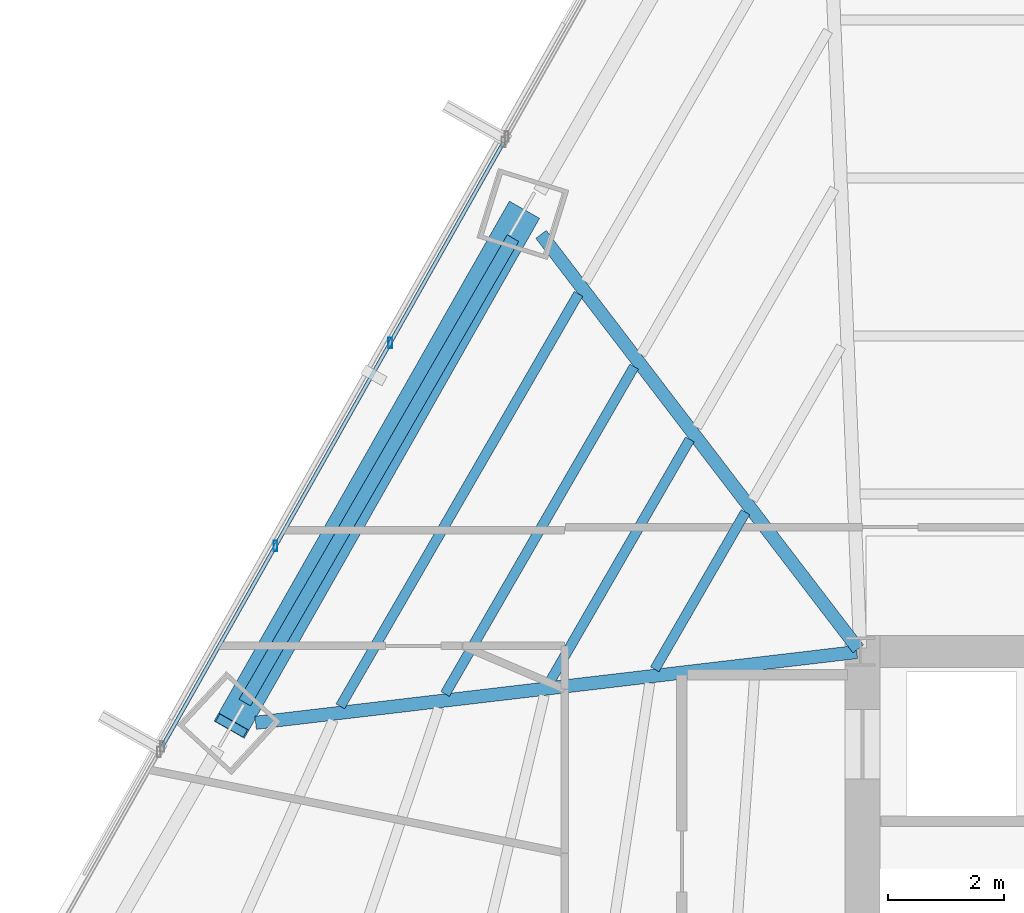
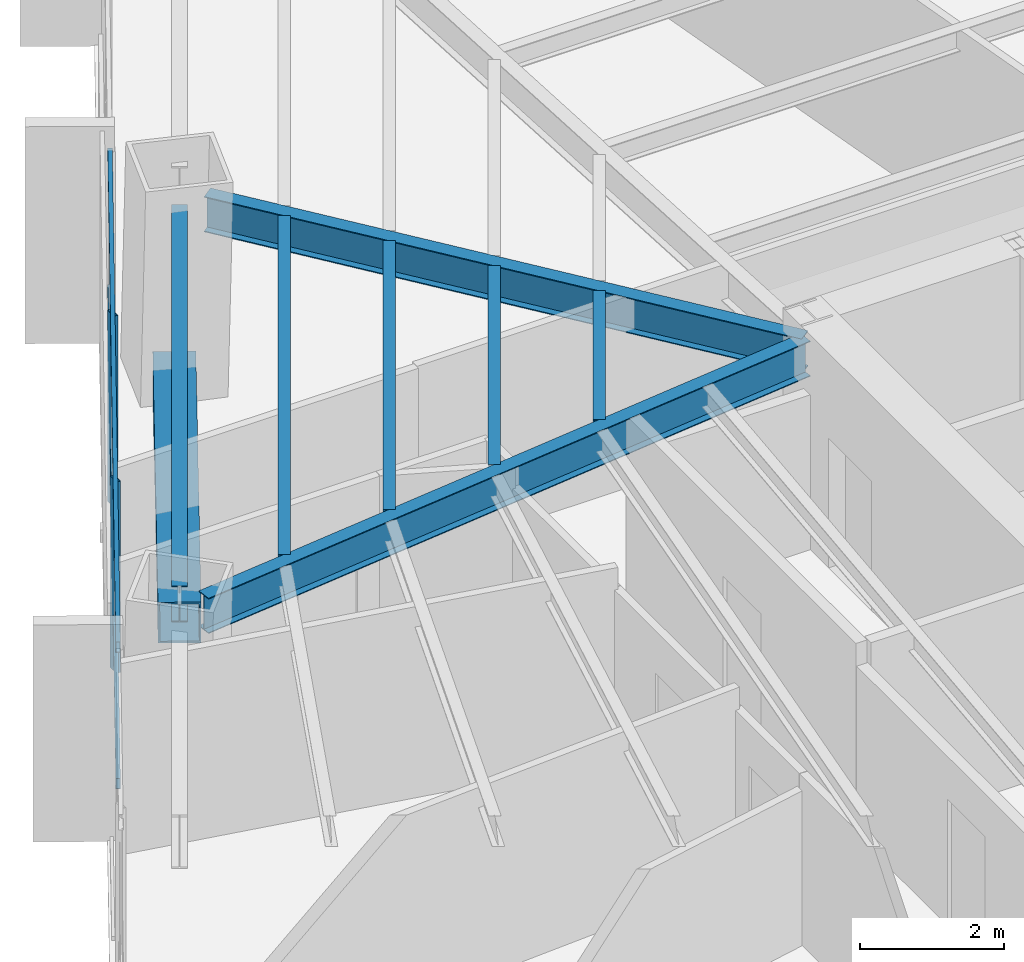
# One storey, part 13 of 39: 7 beams, 5 members, 1 element without a shape of its own.
"""IFC4 building model written with IfcOpenShell, lengths in metres."""

from ifc_helpers import new_model, si_unit, direction, frame, origin, origin_2d, place, context, subcontext, project, spatial, hollow_rectangle, i_section, extrude, source, transform, mapped, material, material_profile, profile_set, type_object, type_shapes, element, aggregate, save


model = new_model("IFC4")

# Units and contexts
model_context = context("Model", 3, precision=1e-05, world=origin(), true_north=direction((0.0, 1.0)))
body_context = subcontext(model_context, "Body", "Model", "MODEL_VIEW")
ifc_project = project(units=[si_unit("LENGTHUNIT", "METRE"), si_unit("AREAUNIT", "SQUARE_METRE"), si_unit("VOLUMEUNIT", "CUBIC_METRE"), si_unit("PLANEANGLEUNIT", "RADIAN"), si_unit("MASSUNIT", "GRAM", prefix="KILO")], contexts=[model_context])

# Site, building, storey
site_placement = place(None, origin())
site = spatial("IfcSite", under=ifc_project, at=site_placement, CompositionType="ELEMENT")
building_placement = place(site_placement, origin())
building = spatial("IfcBuilding", under=site, at=building_placement, Name="Caelisora Broadcast Tower", CompositionType="ELEMENT")
storey_placement = place(building_placement, frame((0.0, 0.0, 71.39990234375)))
storey = spatial("IfcBuildingStorey", under=building, at=storey_placement, Name="L18", CompositionType="ELEMENT", Elevation=71.39990234375)

# Beams
ifc_material_1 = material(Name="Steel Grade 350 (AS/NZS 3679.1)", Category="steel")
ifc_material_profile_1 = material_profile(ifc_material_1, i_section(OverallWidth=0.22900390625, OverallDepth=0.611572265625, WebThickness=0.011962890625, FlangeThickness=0.01953125, at=origin_2d()), Name="Steel Grade 350 (AS/NZS 3679.1)")
ifc_profile_set_1 = profile_set([ifc_material_profile_1], Name="Steel Grade 350 (AS/NZS 3679.1)")
beam_type_1 = type_object("IfcBeamType", Name="PG03", PredefinedType="BEAM", material=ifc_profile_set_1)
shared_shape_1 = source(origin(), body_context, "Body", "SweptSolid", [
    extrude(i_section(OverallWidth=0.22900390625, OverallDepth=0.611572265625, WebThickness=0.011962890625, FlangeThickness=0.01953125, at=origin_2d()), origin(), (0.0, 0.0, 1.0), 9.2607421875),
])
type_shapes(beam_type_1, [shared_shape_1])
beam_1_placement = place(storey_placement, frame((24.50146484375, 37.14013671875, 2.9443359375), z_axis=(-0.5000008632, -0.866024905415, 0.0), x_axis=(0.866024905415, -0.5000008632, 0.0)))
element("IfcBeam", 1, at=beam_1_placement, inside=storey, type_object=beam_type_1, Name="L18 beam PG03", PredefinedType="BEAM", context=body_context, shape_type="MappedRepresentation", body=[
    mapped(shared_shape_1, transform((0.0, 0.0, 0.0), scale=1.0)),
])
ifc_material_profile_2 = material_profile(ifc_material_1, i_section(OverallWidth=0.22802734375, OverallDepth=0.602294921875, WebThickness=0.010498046875, FlangeThickness=0.014892578125, at=origin_2d()), Name="Steel Grade 350 (AS/NZS 3679.1)")
ifc_profile_set_2 = profile_set([ifc_material_profile_2], Name="Steel Grade 350 (AS/NZS 3679.1)")
beam_type_2 = type_object("IfcBeamType", Name="PG04", PredefinedType="BEAM", material=ifc_profile_set_2)
shared_shape_2 = source(origin(), body_context, "Body", "SweptSolid", [
    extrude(i_section(OverallWidth=0.22802734375, OverallDepth=0.602294921875, WebThickness=0.010498046875, FlangeThickness=0.014892578125, at=origin_2d()), origin(), (0.0, 0.0, 1.0), 9.012451171875),
])
beam_2_placement = place(storey_placement, frame((30.46337890625, 30.047607421875, 2.948974609375), z_axis=(-0.607674312064, 0.794186332328, 0.0), x_axis=(-0.794186332328, -0.607674312064, 0.0)))
element("IfcBeam", 2, at=beam_2_placement, inside=storey, type_object=beam_type_2, Name="L18 beam PG04", PredefinedType="BEAM", context=body_context, shape_type="MappedRepresentation", body=[
    mapped(shared_shape_2, transform((0.0, 0.0, 0.0), scale=1.0)),
])
shared_shape_3 = source(origin(), body_context, "Body", "SweptSolid", [
    extrude(i_section(OverallWidth=0.22802734375, OverallDepth=0.602294921875, WebThickness=0.010498046875, FlangeThickness=0.014892578125, at=origin_2d()), origin(), (0.0, 0.0, 1.0), 10.4541015625),
])
type_shapes(beam_type_2, [shared_shape_2, shared_shape_3])
beam_3_placement = place(storey_placement, frame((30.4404296875, 29.992919921875, 2.948974609375), z_axis=(-0.99314263144, -0.116908997154, 0.0), x_axis=(0.116908997154, -0.99314263144, 0.0)))
element("IfcBeam", 3, at=beam_3_placement, inside=storey, type_object=beam_type_2, Name="L18 beam PG04", PredefinedType="BEAM", context=body_context, shape_type="MappedRepresentation", body=[
    mapped(shared_shape_3, transform((0.0, 0.0, 0.0), scale=1.0)),
])
ifc_material_profile_3 = material_profile(ifc_material_1, i_section(OverallWidth=0.172119140625, OverallDepth=0.358642578125, WebThickness=0.008056640625, FlangeThickness=0.012939453125, at=origin_2d()), Name="Steel Grade 350 (AS/NZS 3679.1)")
ifc_profile_set_3 = profile_set([ifc_material_profile_3], Name="Steel Grade 350 (AS/NZS 3679.1)")
beam_type_3 = type_object("IfcBeamType", Name="SB02", PredefinedType="JOIST", material=ifc_profile_set_3)
shared_shape_4 = source(origin(), body_context, "Body", "SweptSolid", [
    extrude(i_section(OverallWidth=0.172119140625, OverallDepth=0.358642578125, WebThickness=0.008056640625, FlangeThickness=0.012939453125, at=origin_2d()), origin(), (0.0, 0.0, 1.0), 3.134033203125),
])
beam_4_placement = place(storey_placement, frame((28.516845703125, 32.408447265625, 3.07080078125), z_axis=(-0.499976457224, -0.866038995786, 0.0), x_axis=(0.866038995786, -0.499976457224, 0.0)))
element("IfcBeam", 4, at=beam_4_placement, inside=storey, type_object=beam_type_3, Name="L18 beam SB02", PredefinedType="JOIST", context=body_context, shape_type="MappedRepresentation", body=[
    mapped(shared_shape_4, transform((0.0, 0.0, 0.0), scale=1.0)),
])
shared_shape_5 = source(origin(), body_context, "Body", "SweptSolid", [
    extrude(i_section(OverallWidth=0.172119140625, OverallDepth=0.358642578125, WebThickness=0.008056640625, FlangeThickness=0.012939453125, at=origin_2d()), origin(), (0.0, 0.0, 1.0), 4.83056640625),
])
beam_5_placement = place(storey_placement, frame((27.555419921875, 33.664794921875, 3.07080078125), z_axis=(-0.500003909511, -0.866023146616, 0.0), x_axis=(0.866023146616, -0.500003909511, 0.0)))
element("IfcBeam", 5, at=beam_5_placement, inside=storey, type_object=beam_type_3, Name="L18 beam SB02", PredefinedType="JOIST", context=body_context, shape_type="MappedRepresentation", body=[
    mapped(shared_shape_5, transform((0.0, 0.0, 0.0), scale=1.0)),
])
shared_shape_6 = source(origin(), body_context, "Body", "SweptSolid", [
    extrude(i_section(OverallWidth=0.172119140625, OverallDepth=0.358642578125, WebThickness=0.008056640625, FlangeThickness=0.012939453125, at=origin_2d()), origin(), (0.0, 0.0, 1.0), 6.527587890625),
])
beam_6_placement = place(storey_placement, frame((26.593994140625, 34.92138671875, 3.07080078125), z_axis=(-0.499984698463, -0.86603423795, 0.0), x_axis=(0.86603423795, -0.499984698463, 0.0)))
element("IfcBeam", 6, at=beam_6_placement, inside=storey, type_object=beam_type_3, Name="L18 beam SB02", PredefinedType="JOIST", context=body_context, shape_type="MappedRepresentation", body=[
    mapped(shared_shape_6, transform((0.0, 0.0, 0.0), scale=1.0)),
])
shared_shape_7 = source(origin(), body_context, "Body", "SweptSolid", [
    extrude(i_section(OverallWidth=0.172119140625, OverallDepth=0.358642578125, WebThickness=0.008056640625, FlangeThickness=0.012939453125, at=origin_2d()), origin(), (0.0, 0.0, 1.0), 8.224365234375),
])
type_shapes(beam_type_3, [shared_shape_4, shared_shape_5, shared_shape_6, shared_shape_7])
beam_7_placement = place(storey_placement, frame((25.6328125, 36.177734375, 3.07080078125), z_axis=(-0.500008532388, -0.866020477552, 0.0), x_axis=(0.866020477552, -0.500008532388, 0.0)))
element("IfcBeam", 7, at=beam_7_placement, inside=storey, type_object=beam_type_3, Name="L18 beam SB02", PredefinedType="JOIST", context=body_context, shape_type="MappedRepresentation", body=[
    mapped(shared_shape_7, transform((0.0, 0.0, 0.0), scale=1.0)),
])

# Member
ifc_material_2 = material(Name="Steel Grade 450 L15 (AS/NZS 3678)", Category="steel")
ifc_material_profile_4 = material_profile(ifc_material_2, hollow_rectangle(XDim=0.60009765625, YDim=0.60009765625, WallThickness=0.02490234375, at=origin_2d()), Name="Steel Grade 450 L15 (AS/NZS 3678)")
ifc_profile_set_4 = profile_set([ifc_material_profile_4], Name="Steel Grade 450 L15 (AS/NZS 3678)")
member_type_1 = type_object("IfcMemberType", Name="BR01", PredefinedType="BRACE", material=ifc_profile_set_4)
shared_shape_8 = source(origin(), body_context, "Body", "SweptSolid", [
    extrude(hollow_rectangle(XDim=0.60009765625, YDim=0.60009765625, WallThickness=0.02490234375, at=origin_2d()), origin(), (0.0, 0.0, 1.0), 10.556640625),
])
type_shapes(member_type_1, [shared_shape_8])
member_1_placement = place(storey_placement, frame((24.66064453125, 37.560546875, 0.10009765625), z_axis=(-0.475482114836, -0.837274050852, 0.269979484854), x_axis=(0.869564389975, -0.493819574022, 0.0)))
element("IfcMember", 8, at=member_1_placement, inside=storey, type_object=member_type_1, Name="L18 perimeter brace BR01", PredefinedType="BRACE", context=body_context, shape_type="MappedRepresentation", body=[
    mapped(shared_shape_8, transform((0.0, 0.0, 0.0), scale=1.0)),
])

# Curtain wall, members
ifc_material_3 = material(Name="Unitised Aluminium Insulated Shadow-Box Spandrel Curtain Wall", Category="aluminium")
curtain_wall_type = type_object("IfcCurtainWallType", Name="CW-SP1", PredefinedType="NOTDEFINED", material=ifc_material_3)
curtain_wall_placement = place(storey_placement, origin())
curtain_wall = element("IfcCurtainWall", 9, at=curtain_wall_placement, inside=storey, type_object=curtain_wall_type, Name="L18 curtain wall CW-SP1", PredefinedType="NOTDEFINED")
ifc_material_4 = material(Name="Aluminium 6063-T6 Anodised Terracotta Bronze", Category="aluminium")
ifc_material_profile_5 = material_profile(ifc_material_4, hollow_rectangle(XDim=0.06494140625, YDim=0.179931640625, WallThickness=0.00341796875, at=origin_2d()), Name="Aluminium 6063-T6 Anodised Terracotta Bronze")
ifc_profile_set_5 = profile_set([ifc_material_profile_5], Name="Aluminium 6063-T6 Anodised Terracotta Bronze")
member_type_2 = type_object("IfcMemberType", Name="CWM-02", PredefinedType="MULLION", material=ifc_profile_set_5)
shared_shape_9 = source(origin(), body_context, "Body", "SweptSolid", [
    extrude(hollow_rectangle(XDim=0.06494140625, YDim=0.179931640625, WallThickness=0.00341796875, at=origin_2d()), origin(), (0.0, 0.0, 1.0), 3.25),
])
type_shapes(member_type_2, [shared_shape_9])
member_2_placement = place(storey_placement, frame((20.40185546875, 31.8251953125, 0.0), z_axis=(0.0, 0.0, 1.0), x_axis=(1.0, 0.0, 0.0)))
member_2 = element("IfcMember", 10, at=member_2_placement, type_object=member_type_2, Name="L18-CW-B10 mullion #1", PredefinedType="MULLION", context=body_context, shape_type="MappedRepresentation", body=[
    mapped(shared_shape_9, transform((0.0, 0.0, 0.0), scale=1.0)),
])
member_3_placement = place(storey_placement, frame((22.3837890625, 35.333251953125, 0.0), z_axis=(0.0, 0.0, 1.0), x_axis=(1.0, 0.0, 0.0)))
member_3 = element("IfcMember", 11, at=member_3_placement, type_object=member_type_2, Name="L18-CW-B10 mullion #2", PredefinedType="MULLION", context=body_context, shape_type="MappedRepresentation", body=[
    mapped(shared_shape_9, transform((0.0, 0.0, 0.0), scale=1.0)),
])
ifc_material_profile_6 = material_profile(ifc_material_4, hollow_rectangle(XDim=0.06494140625, YDim=0.179931640625, WallThickness=0.00341796875, at=origin_2d()), Name="Aluminium 6063-T6 Anodised Terracotta Bronze")
ifc_profile_set_6 = profile_set([ifc_material_profile_6], Name="Aluminium 6063-T6 Anodised Terracotta Bronze")
member_type_3 = type_object("IfcMemberType", Name="CWT-01", PredefinedType="USERDEFINED", material=ifc_profile_set_6)
shared_shape_10 = source(origin(), body_context, "Body", "SweptSolid", [
    extrude(hollow_rectangle(XDim=0.06494140625, YDim=0.179931640625, WallThickness=0.00341796875, at=origin_2d()), origin(), (0.0, 0.0, 1.0), 11.98779296875),
])
type_shapes(member_type_3, [shared_shape_10])
member_4_placement = place(storey_placement, frame((18.4443359375, 28.360595703125, 0.85009765625), z_axis=(0.491893505151, 0.870655373607, 0.0), x_axis=(-0.870655373607, 0.491893505151, 0.0)))
member_4 = element("IfcMember", 12, at=member_4_placement, type_object=member_type_3, Name="L18-CW-B10 transom #1", ObjectType="TRANSOM", PredefinedType="USERDEFINED", context=body_context, shape_type="MappedRepresentation", body=[
    mapped(shared_shape_10, transform((0.0, 0.0, 0.0), scale=1.0)),
])
member_5_placement = place(storey_placement, frame((18.4443359375, 28.360595703125, 3.170166015625), z_axis=(0.491893505151, 0.870655373607, 0.0), x_axis=(-0.870655373607, 0.491893505151, 0.0)))
member_5 = element("IfcMember", 13, at=member_5_placement, type_object=member_type_3, Name="L18-CW-B10 transom #2", ObjectType="TRANSOM", PredefinedType="USERDEFINED", context=body_context, shape_type="MappedRepresentation", body=[
    mapped(shared_shape_10, transform((0.0, 0.0, 0.0), scale=1.0)),
])
aggregate(curtain_wall, [member_2, member_3, member_4, member_5])

save(model, "model.ifc")
